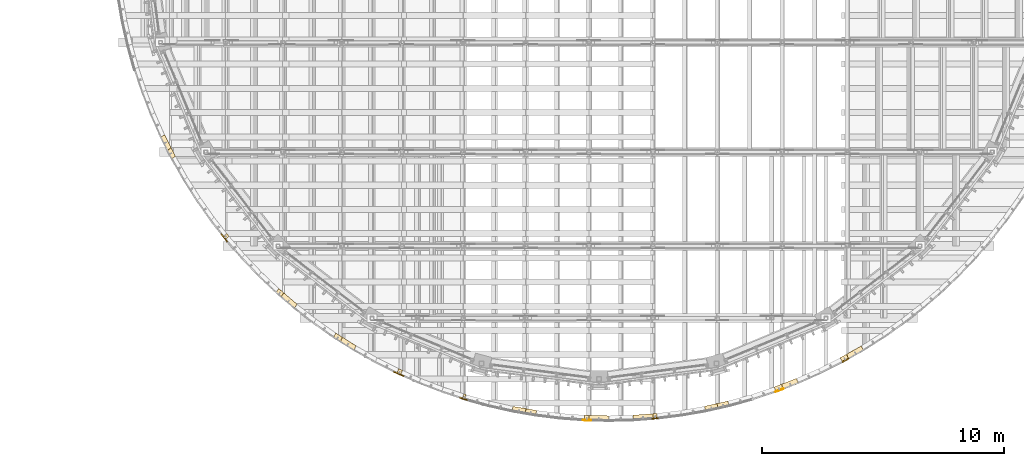
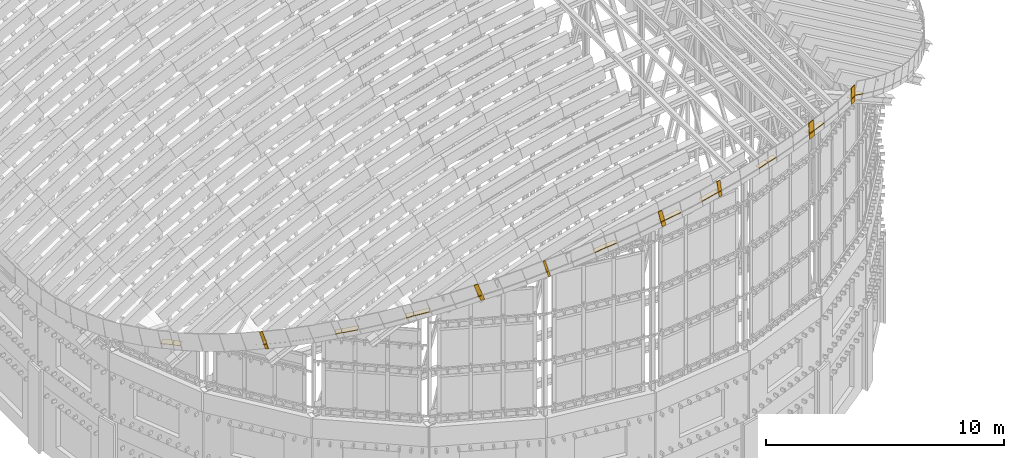
# One storey, part 101 of 105: 28 coverings.
"""IFC4 building model written with IfcOpenShell, lengths in metres."""

import ifcopenshell
import ifcopenshell.guid

model = None  # the IFC model being written
_history = None  # IfcOwnerHistory: only IFC2X3 demands one
_inside = {}  # id of a spatial element -> (the spatial element, [elements in it])
_under = {}  # id of a project, library or spatial element -> (it, [spatial elements below it])
_declared = {}  # id of a project -> (the project, [libraries it declares])
_typed = {}  # id of a type object -> (the type object, [elements of that type])
_made_of = {}  # id of a material, layer set ... -> (it, [elements and type objects made of it])


def new_model(schema):
    """Start an empty IFC model of exactly this schema.

    Asked for "IFC4X3", IfcOpenShell would pick the latest addendum, in which some entities
    have other attributes; the version numbers below select the first issue.
    IFC2X3 requires an IfcOwnerHistory on every rooted entity: one is made here for all.
    """
    global model, _history
    if schema == "IFC4X3":
        model = ifcopenshell.file(schema_version=(4, 3, 0, 0))
    else:
        model = ifcopenshell.file(schema=schema)
    _inside.clear()
    _under.clear()
    _declared.clear()
    _typed.clear()
    _made_of.clear()
    _history = None
    if model.schema == "IFC2X3":
        org = make("IfcOrganization", Name="unknown")
        user = make(
            "IfcPersonAndOrganization",
            ThePerson=make("IfcPerson", FamilyName="unknown"),
            TheOrganization=org,
        )
        app = make(
            "IfcApplication",
            ApplicationDeveloper=org,
            Version="unknown",
            ApplicationFullName="unknown",
            ApplicationIdentifier="unknown",
        )
        _history = make(
            "IfcOwnerHistory",
            OwningUser=user,
            OwningApplication=app,
            ChangeAction="ADDED",
            CreationDate=0,
        )
    return model


def make(cls, **values):
    """One entity of the class cls with the attributes given. An attribute that is None is left unset."""
    return model.create_entity(
        cls, **{name: value for name, value in values.items() if value is not None}
    )


def rooted(cls, **values):
    """An entity with a GlobalId (a new one), such as an element, a storey or a relation."""
    return make(cls, GlobalId=ifcopenshell.guid.new(), OwnerHistory=_history, **values)


def si_unit(unit_type, name, prefix=None):
    """IfcSIUnit, for example si_unit("LENGTHUNIT", "METRE", prefix="MILLI")."""
    return make("IfcSIUnit", UnitType=unit_type, Prefix=prefix, Name=name)


def assignment(units):
    """IfcUnitAssignment: the units of a project."""
    return None if units is None else make("IfcUnitAssignment", Units=units)


def point(xyz):
    """IfcCartesianPoint."""
    return None if xyz is None else make("IfcCartesianPoint", Coordinates=xyz)


def direction(xyz):
    """IfcDirection."""
    return None if xyz is None else make("IfcDirection", DirectionRatios=xyz)


def frame(location, z_axis=None, x_axis=None):
    """IfcAxis2Placement3D, a coordinate frame: its origin and axes. An axis left out is left unset."""
    return make(
        "IfcAxis2Placement3D",
        Location=point(location),
        Axis=direction(z_axis),
        RefDirection=direction(x_axis),
    )


def frame_2d(location, x_axis=None):
    """IfcAxis2Placement2D, a coordinate frame in the plane: its origin and x axis."""
    return make(
        "IfcAxis2Placement2D", Location=point(location), RefDirection=direction(x_axis)
    )


def origin():
    """The frame at (0, 0, 0) with its axes left unset."""
    return frame((0.0, 0.0, 0.0))


def origin_2d():
    """The frame at (0, 0) in the plane with its x axis left unset."""
    return frame_2d((0.0, 0.0))


def place(relative_to, where):
    """IfcLocalPlacement: puts the frame where relative to a parent placement (None: the world)."""
    return make(
        "IfcLocalPlacement", PlacementRelTo=relative_to, RelativePlacement=where
    )


def context(
    kind, dimensions, precision=None, world=None, true_north=None, identifier=None
):
    """IfcGeometricRepresentationContext, for example the 3D "Model" context."""
    return make(
        "IfcGeometricRepresentationContext",
        ContextIdentifier=identifier,
        ContextType=kind,
        CoordinateSpaceDimension=dimensions,
        Precision=precision,
        WorldCoordinateSystem=world,
        TrueNorth=true_north,
    )


def subcontext(parent, identifier, kind, view, scale=None):
    """IfcGeometricRepresentationSubContext, for example "Body" below "Model"."""
    return make(
        "IfcGeometricRepresentationSubContext",
        ContextIdentifier=identifier,
        ContextType=kind,
        ParentContext=parent,
        TargetScale=scale,
        TargetView=view,
    )


def project(units=None, contexts=None):
    """IfcProject with its units and contexts."""
    return rooted(
        "IfcProject",
        Name="project",
        RepresentationContexts=contexts,
        UnitsInContext=assignment(units),
    )


def spatial(cls, under=None, at=None, **own):
    """A site, building, storey or space (cls), placed at a placement, below another one or the project."""
    s = rooted(cls, ObjectPlacement=at, **own)
    if under is not None:
        _under.setdefault(under.id(), (under, []))[1].append(s)
    return s


def polyline(points):
    """IfcPolyline through the points."""
    return make("IfcPolyline", Points=[point(p) for p in points])


def profile(cls, at=None, kind="AREA", **sizes):
    """A parametric profile (cls). Its sizes go by their IFC names, for example OverallWidth=200.0."""
    return make(cls, ProfileType=kind, Position=at, **sizes)


def rectangle(**sizes):
    """IfcRectangleProfileDef."""
    return profile("IfcRectangleProfileDef", **sizes)


def outline(outer, holes=None, kind="AREA"):
    """IfcArbitraryClosedProfileDef: a profile drawn as a closed curve; with holes, ...WithVoids."""
    if holes is None:
        return make("IfcArbitraryClosedProfileDef", ProfileType=kind, OuterCurve=outer)
    return make(
        "IfcArbitraryProfileDefWithVoids",
        ProfileType=kind,
        OuterCurve=outer,
        InnerCurves=holes,
    )


def extrude(swept, where, along, depth):
    """IfcExtrudedAreaSolid: the profile swept, set in the frame where, extruded along a direction by depth."""
    return make(
        "IfcExtrudedAreaSolid",
        SweptArea=swept,
        Position=where,
        ExtrudedDirection=direction(along),
        Depth=depth,
    )


def shape(context_of_items, identifier, shape_type, items):
    """IfcShapeRepresentation: the items that make up one representation, for example the "Body"."""
    return make(
        "IfcShapeRepresentation",
        ContextOfItems=context_of_items,
        RepresentationIdentifier=identifier,
        RepresentationType=shape_type,
        Items=items,
    )


def material(Name=None, Category=None):
    """IfcMaterial."""
    return make("IfcMaterial", Name=Name, Category=Category)


def material_profile(
    of_material, cross_section, Name=None, Category=None, Priority=None
):
    """IfcMaterialProfile: a cross section and its material."""
    return make(
        "IfcMaterialProfile",
        Name=Name,
        Material=of_material,
        Profile=cross_section,
        Priority=Priority,
        Category=Category,
    )


def profile_set(profiles, Name=None, composite=None):
    """IfcMaterialProfileSet."""
    return make(
        "IfcMaterialProfileSet",
        Name=Name,
        MaterialProfiles=profiles,
        CompositeProfile=composite,
    )


def made_of(thing, what):
    """Note that an element or type object is made of a material, layer set ...; save() writes the relation."""
    if what is not None:
        _made_of.setdefault(what.id(), (what, []))[1].append(thing)
    return thing


def type_object(cls, material=None, **own):
    """A type object (cls), such as IfcWallType, which elements share."""
    return made_of(rooted(cls, **own), material)


def element(
    cls,
    number,
    at=None,
    inside=None,
    cuts=None,
    type_object=None,
    material=None,
    context=None,
    identifier="Body",
    shape_type=None,
    held_by="IfcProductDefinitionShape",
    body=None,
    shapes=None,
    **own,
):
    """One element of the class cls, such as IfcWall. Its Tag is "e" and its number.

    at: its placement. inside: the storey or other place that contains it. cuts: it is an
    opening in that element (IfcRelVoidsElement). A single representation is given by context,
    identifier, shape_type and body (its items); several are given by shapes. held_by: the class
    of the entity that holds the representations. save() writes the other relations.
    """
    e = rooted(cls, Tag="e%d" % number, ObjectPlacement=at, **own)
    if body is not None:
        shapes = [shape(context, identifier, shape_type, body)]
    if shapes is not None:
        e.Representation = make(held_by, Representations=shapes)
    if inside is not None:
        _inside.setdefault(inside.id(), (inside, []))[1].append(e)
    if cuts is not None:
        rooted(
            "IfcRelVoidsElement", RelatingBuildingElement=cuts, RelatedOpeningElement=e
        )
    if type_object is not None:
        _typed.setdefault(type_object.id(), (type_object, []))[1].append(e)
    return made_of(e, material)


def aggregate(whole, parts):
    """IfcRelAggregates: a whole, such as a stair, and the parts it consists of."""
    return rooted("IfcRelAggregates", RelatingObject=whole, RelatedObjects=parts)


def save(model, path):
    """Write the relations noted so far, then the file.

    IfcRelAggregates (storeys below a building ...), IfcRelContainedInSpatialStructure (elements
    in a storey), IfcRelDefinesByType, IfcRelAssociatesMaterial and IfcRelDeclares: one each for
    every whole, place, type object, material and project.
    """
    for whole, parts in _under.values():
        aggregate(whole, parts)
    for where, things in _inside.values():
        rooted(
            "IfcRelContainedInSpatialStructure",
            RelatedElements=things,
            RelatingStructure=where,
        )
    for kind, things in _typed.values():
        rooted("IfcRelDefinesByType", RelatedObjects=things, RelatingType=kind)
    for what, things in _made_of.values():
        rooted("IfcRelAssociatesMaterial", RelatedObjects=things, RelatingMaterial=what)
    for by, libraries in _declared.values():
        rooted("IfcRelDeclares", RelatingContext=by, RelatedDefinitions=libraries)
    model.write(path)


model = new_model("IFC4")

# Units and contexts
model_context = context("Model", 3, precision=1e-05, world=origin(), true_north=direction((0.0, 1.0)))
body_context = subcontext(model_context, "Body", "Model", "MODEL_VIEW")
ifc_project = project(units=[si_unit("LENGTHUNIT", "METRE"), si_unit("AREAUNIT", "SQUARE_METRE"), si_unit("VOLUMEUNIT", "CUBIC_METRE"), si_unit("PLANEANGLEUNIT", "RADIAN"), si_unit("MASSUNIT", "GRAM", prefix="KILO")], contexts=[model_context])

# Site, building, storey
site_placement = place(None, origin())
site = spatial("IfcSite", under=ifc_project, at=site_placement, CompositionType="ELEMENT")
building_placement = place(site_placement, origin())
building = spatial("IfcBuilding", under=site, at=building_placement, Name="Wasatch Bagh Community Centre", CompositionType="ELEMENT")
storey_placement = place(building_placement, frame((0.0, 0.0, 16.800048828125)))
storey = spatial("IfcBuildingStorey", under=building, at=storey_placement, Name="L04", CompositionType="ELEMENT", Elevation=16.800048828125)

# Coverings
ifc_material = material(Name="ASTM A653 Grade 50 steel, zinc-aluminium coated", Category="steel")
ifc_material_profile_1 = material_profile(ifc_material, outline(polyline([(-0.080078125, 0.0029296875), (0.152099609375, 0.0029296875), (0.152099609375, -0.031982421875), (0.14892578125, -0.031982421875), (0.14892578125, 0.0), (-0.080078125, 0.0), (-0.080078125, 0.0029296875)])), Name="DRIP EDGE")
ifc_profile_set_1 = profile_set([ifc_material_profile_1], Name="ASTM A653 Grade 50 steel, zinc-aluminium coated")
covering_type_1 = type_object("IfcCoveringType", Name="MH drip edge", PredefinedType="CLADDING", material=ifc_profile_set_1)
covering_1_placement = place(storey_placement, frame((46.85888671875, 17.54345703125, 18.367919921875), z_axis=(-0.777376884038, -0.440544900829, 0.449004866919), x_axis=(0.381559442656, -0.897730567476, -0.220209491028)))
element("IfcCovering", 1, at=covering_1_placement, inside=storey, type_object=covering_type_1, Name="Drip edge 23", PredefinedType="CLADDING", context=body_context, shape_type="SweptSolid", body=[
    extrude(outline(polyline([(-0.080078125, 0.0029296875), (0.152099609375, 0.0029296875), (0.152099609375, -0.031982421875), (0.14892578125, -0.031982421875), (0.14892578125, 0.0), (-0.080078125, 0.0), (-0.080078125, 0.0029296875)])), origin(), (0.0, 0.0, 1.0), 0.779296875),
])
covering_2_placement = place(storey_placement, frame((46.24658203125, 17.196533203125, 18.64990234375), z_axis=(-0.870113515799, -0.492356916257, -0.022071172108), x_axis=(0.492192570825, -0.870393373398, 0.01272197981)))
element("IfcCovering", 2, at=covering_2_placement, inside=storey, type_object=covering_type_1, Name="Drip edge 24", PredefinedType="CLADDING", context=body_context, shape_type="SweptSolid", body=[
    extrude(outline(polyline([(-0.080078125, 0.0029296875), (0.152099609375, 0.0029296875), (0.152099609375, -0.031982421875), (0.14892578125, -0.031982421875), (0.14892578125, 0.0), (-0.080078125, 0.0), (-0.080078125, 0.0029296875)])), origin(), (0.0, 0.0, 1.0), 0.28759765625),
])
covering_3_placement = place(storey_placement, frame((44.183837890625, 16.197509765625, 18.5966796875), z_axis=(-0.93278760393, -0.359620022183, -0.024098248909), x_axis=(0.359500043362, -0.933098837018, 0.009288658587)))
element("IfcCovering", 3, at=covering_3_placement, inside=storey, type_object=covering_type_1, Name="Drip edge 27", PredefinedType="CLADDING", context=body_context, shape_type="SweptSolid", body=[
    extrude(outline(polyline([(-0.080078125, 0.0029296875), (0.152099609375, 0.0029296875), (0.152099609375, -0.031982421875), (0.14892578125, -0.031982421875), (0.14892578125, 0.0), (-0.080078125, 0.0), (-0.080078125, 0.0029296875)])), origin(), (0.0, 0.0, 1.0), 0.658447265625),
])
covering_4_placement = place(storey_placement, frame((43.562255859375, 15.957763671875, 18.581787109375), z_axis=(-0.930598188838, -0.358730592149, -0.072796793804), x_axis=(0.357653742925, -0.933441121228, 0.027775409486)))
element("IfcCovering", 4, at=covering_4_placement, inside=storey, type_object=covering_type_1, Name="Drip edge 28", PredefinedType="CLADDING", context=body_context, shape_type="SweptSolid", body=[
    extrude(outline(polyline([(-0.080078125, 0.0029296875), (0.152099609375, 0.0029296875), (0.152099609375, -0.031982421875), (0.14892578125, -0.031982421875), (0.14892578125, 0.0), (-0.080078125, 0.0), (-0.080078125, 0.0029296875)])), origin(), (0.0, 0.0, 1.0), 0.3251953125),
])
covering_5_placement = place(storey_placement, frame((41.3408203125, 15.259033203125, 18.4091796875), z_axis=(-0.972939906106, -0.218447542951, -0.075290172571), x_axis=(0.217792351392, -0.975848691323, 0.016906310003)))
element("IfcCovering", 5, at=covering_5_placement, inside=storey, type_object=covering_type_1, Name="Drip edge 31", PredefinedType="CLADDING", context=body_context, shape_type="SweptSolid", body=[
    extrude(outline(polyline([(-0.080078125, 0.0029296875), (0.152099609375, 0.0029296875), (0.152099609375, -0.031982421875), (0.14892578125, -0.031982421875), (0.14892578125, 0.0), (-0.080078125, 0.0), (-0.080078125, 0.0029296875)])), origin(), (0.0, 0.0, 1.0), 0.46044921875),
])
covering_6_placement = place(storey_placement, frame((40.88525390625, 15.15673828125, 18.376220703125), z_axis=(-0.967980799537, -0.217264076305, -0.125735805862), x_axis=(0.215454435456, -0.97611286291, 0.027983300453)))
element("IfcCovering", 6, at=covering_6_placement, inside=storey, type_object=covering_type_1, Name="Drip edge 32", PredefinedType="CLADDING", context=body_context, shape_type="SweptSolid", body=[
    extrude(outline(polyline([(-0.080078125, 0.0029296875), (0.152099609375, 0.0029296875), (0.152099609375, -0.031982421875), (0.14892578125, -0.031982421875), (0.14892578125, 0.0), (-0.080078125, 0.0), (-0.080078125, 0.0029296875)])), origin(), (0.0, 0.0, 1.0), 0.528076171875),
])
covering_7_placement = place(storey_placement, frame((38.390625, 14.747802734375, 18.05224609375), z_axis=(-0.988999917952, -0.073873469481, -0.128147855222), x_axis=(0.073273992334, -0.997267617237, 0.009392638508)))
element("IfcCovering", 7, at=covering_7_placement, inside=storey, type_object=covering_type_1, Name="Drip edge 35", PredefinedType="CLADDING", context=body_context, shape_type="SweptSolid", body=[
    extrude(outline(polyline([(-0.080078125, 0.0029296875), (0.152099609375, 0.0029296875), (0.152099609375, -0.031982421875), (0.14892578125, -0.031982421875), (0.14892578125, 0.0), (-0.080078125, 0.0), (-0.080078125, 0.0029296875)])), origin(), (0.0, 0.0, 1.0), 0.161865234375),
])
covering_8_placement = place(storey_placement, frame((38.222412109375, 14.7353515625, 18.033935546875), z_axis=(-0.981116574311, -0.072437305873, -0.179340749219), x_axis=(0.071259546281, -0.997372967579, 0.013009250818)))
element("IfcCovering", 8, at=covering_8_placement, inside=storey, type_object=covering_type_1, Name="Drip edge 36", PredefinedType="CLADDING", context=body_context, shape_type="SweptSolid", body=[
    extrude(outline(polyline([(-0.080078125, 0.0029296875), (0.152099609375, 0.0029296875), (0.152099609375, -0.031982421875), (0.14892578125, -0.031982421875), (0.14892578125, 0.0), (-0.080078125, 0.0), (-0.080078125, 0.0029296875)])), origin(), (0.0, 0.0, 1.0), 0.8359375),
])
covering_9_placement = place(storey_placement, frame((36.39599609375, 14.650146484375, 17.7001953125), z_axis=(-0.983421826745, 0.024102017539, -0.17972368634), x_axis=(-0.023708125638, -0.999709504159, -0.004339593716)))
element("IfcCovering", 9, at=covering_9_placement, inside=storey, type_object=covering_type_1, Name="Drip edge 38", PredefinedType="CLADDING", context=body_context, shape_type="SweptSolid", body=[
    extrude(outline(polyline([(-0.080078125, 0.0029296875), (0.152099609375, 0.0029296875), (0.152099609375, -0.031982421875), (0.14892578125, -0.031982421875), (0.14892578125, 0.0), (-0.080078125, 0.0), (-0.080078125, 0.0029296875)])), origin(), (0.0, 0.0, 1.0), 0.820556640625),
])
covering_10_placement = place(storey_placement, frame((35.581298828125, 14.670166015625, 17.55615234375), z_axis=(-0.972752598419, 0.022935914248, -0.230708313911), x_axis=(-0.022267916948, -0.999736914851, -0.005499177972)))
element("IfcCovering", 10, at=covering_10_placement, inside=storey, type_object=covering_type_1, Name="Drip edge 39", PredefinedType="CLADDING", context=body_context, shape_type="SweptSolid", body=[
    extrude(outline(polyline([(-0.080078125, 0.0029296875), (0.152099609375, 0.0029296875), (0.152099609375, -0.031982421875), (0.14892578125, -0.031982421875), (0.14892578125, 0.0), (-0.080078125, 0.0), (-0.080078125, 0.0029296875)])), origin(), (0.0, 0.0, 1.0), 0.180908203125),
])
covering_11_placement = place(storey_placement, frame((33.41015625, 14.870849609375, 17.042236328125), z_axis=(-0.959544365103, 0.166853803499, -0.226791577571), x_axis=(-0.162387918423, -0.985981646424, -0.038345232636)))
element("IfcCovering", 11, at=covering_11_placement, inside=storey, type_object=covering_type_1, Name="Drip edge 42", PredefinedType="CLADDING", context=body_context, shape_type="SweptSolid", body=[
    extrude(outline(polyline([(-0.080078125, 0.0029296875), (0.152099609375, 0.0029296875), (0.152099609375, -0.031982421875), (0.14892578125, -0.031982421875), (0.14892578125, 0.0), (-0.080078125, 0.0), (-0.080078125, 0.0029296875)])), origin(), (0.0, 0.0, 1.0), 0.4521484375),
])
covering_12_placement = place(storey_placement, frame((32.96875, 14.947509765625, 16.94384765625), z_axis=(-0.947013161457, 0.164171989669, -0.276068161574), x_axis=(-0.157582948766, -0.986431724776, -0.046044181095)))
element("IfcCovering", 12, at=covering_12_placement, inside=storey, type_object=covering_type_1, Name="Drip edge 43", PredefinedType="CLADDING", context=body_context, shape_type="SweptSolid", body=[
    extrude(outline(polyline([(-0.080078125, 0.0029296875), (0.152099609375, 0.0029296875), (0.152099609375, -0.031982421875), (0.14892578125, -0.031982421875), (0.14892578125, 0.0), (-0.080078125, 0.0), (-0.080078125, 0.0029296875)])), origin(), (0.0, 0.0, 1.0), 0.565185546875),
])
covering_13_placement = place(storey_placement, frame((30.489013671875, 15.527587890625, 16.22021484375), z_axis=(-0.915191375228, 0.301765804805, -0.267136941958), x_axis=(-0.289634105959, -0.953382073003, -0.084703645385)))
element("IfcCovering", 13, at=covering_13_placement, inside=storey, type_object=covering_type_1, Name="Drip edge 46", PredefinedType="CLADDING", context=body_context, shape_type="SweptSolid", body=[
    extrude(outline(polyline([(-0.080078125, 0.0029296875), (0.152099609375, 0.0029296875), (0.152099609375, -0.031982421875), (0.14892578125, -0.031982421875), (0.14892578125, 0.0), (-0.080078125, 0.0), (-0.080078125, 0.0029296875)])), origin(), (0.0, 0.0, 1.0), 0.0986328125),
])
covering_14_placement = place(storey_placement, frame((27.8564453125, 16.5341796875, 15.323974609375), z_axis=(-0.856694982485, 0.379393492244, -0.349477159522), x_axis=(-0.351247752952, -0.925235412268, -0.143403095964)))
element("IfcCovering", 14, at=covering_14_placement, inside=storey, type_object=covering_type_1, Name="Drip edge 50", PredefinedType="CLADDING", context=body_context, shape_type="SweptSolid", body=[
    extrude(outline(polyline([(-0.080078125, 0.0029296875), (0.152099609375, 0.0029296875), (0.152099609375, -0.031982421875), (0.14892578125, -0.031982421875), (0.14892578125, 0.0), (-0.080078125, 0.0), (-0.080078125, 0.0029296875)])), origin(), (0.0, 0.0, 1.0), 0.179443359375),
])
covering_15_placement = place(storey_placement, frame((25.934814453125, 17.54736328125, 14.540283203125), z_axis=(-0.798894158727, 0.505558404166, -0.325850921634), x_axis=(-0.468076679858, -0.86279238033, -0.1910327988)))
element("IfcCovering", 15, at=covering_15_placement, inside=storey, type_object=covering_type_1, Name="Drip edge 53", PredefinedType="CLADDING", context=body_context, shape_type="SweptSolid", body=[
    extrude(outline(polyline([(-0.080078125, 0.0029296875), (0.152099609375, 0.0029296875), (0.152099609375, -0.031982421875), (0.14892578125, -0.031982421875), (0.14892578125, 0.0), (-0.080078125, 0.0), (-0.080078125, 0.0029296875)])), origin(), (0.0, 0.0, 1.0), 0.6982421875),
])
covering_16_placement = place(storey_placement, frame((25.37060546875, 17.904541015625, 14.321044921875), z_axis=(-0.78535948337, 0.497160601526, -0.368838471654), x_axis=(-0.450008908102, -0.867658536631, -0.211330656648)))
element("IfcCovering", 16, at=covering_16_placement, inside=storey, type_object=covering_type_1, Name="Drip edge 54", PredefinedType="CLADDING", context=body_context, shape_type="SweptSolid", body=[
    extrude(outline(polyline([(-0.080078125, 0.0029296875), (0.152099609375, 0.0029296875), (0.152099609375, -0.031982421875), (0.14892578125, -0.031982421875), (0.14892578125, 0.0), (-0.080078125, 0.0), (-0.080078125, 0.0029296875)])), origin(), (0.0, 0.0, 1.0), 0.34814453125),
])
covering_17_placement = place(storey_placement, frame((23.4873046875, 19.271728515625, 13.436767578125), z_axis=(-0.71357096409, 0.61535835396, -0.334888900114), x_axis=(-0.557005563375, -0.788247477428, -0.261554423969)))
element("IfcCovering", 17, at=covering_17_placement, inside=storey, type_object=covering_type_1, Name="Drip edge 57", PredefinedType="CLADDING", context=body_context, shape_type="SweptSolid", body=[
    extrude(outline(polyline([(-0.080078125, 0.0029296875), (0.152099609375, 0.0029296875), (0.152099609375, -0.031982421875), (0.14892578125, -0.031982421875), (0.14892578125, 0.0), (-0.080078125, 0.0), (-0.080078125, 0.0029296875)])), origin(), (0.0, 0.0, 1.0), 0.75830078125),
])
covering_18_placement = place(storey_placement, frame((22.940673828125, 19.7431640625, 13.193115234375), z_axis=(-0.701915068317, 0.605359765857, -0.375306262605), x_axis=(-0.533948239954, -0.795951958722, -0.285236316862)))
element("IfcCovering", 18, at=covering_18_placement, inside=storey, type_object=covering_type_1, Name="Drip edge 58", PredefinedType="CLADDING", context=body_context, shape_type="SweptSolid", body=[
    extrude(outline(polyline([(-0.080078125, 0.0029296875), (0.152099609375, 0.0029296875), (0.152099609375, -0.031982421875), (0.14892578125, -0.031982421875), (0.14892578125, 0.0), (-0.080078125, 0.0), (-0.080078125, 0.0029296875)])), origin(), (0.0, 0.0, 1.0), 0.290771484375),
])
covering_19_placement = place(storey_placement, frame((20.6669921875, 22.093017578125, 11.978515625), z_axis=(-0.584966230965, 0.74913931486, -0.310813119995), x_axis=(-0.660747929586, -0.662411501347, -0.35302007936)))
element("IfcCovering", 19, at=covering_19_placement, inside=storey, type_object=covering_type_1, Name="Drip edge 62", PredefinedType="CLADDING", context=body_context, shape_type="SweptSolid", body=[
    extrude(outline(polyline([(-0.080078125, 0.0029296875), (0.152099609375, 0.0029296875), (0.152099609375, -0.031982421875), (0.14892578125, -0.031982421875), (0.14892578125, 0.0), (-0.080078125, 0.0), (-0.080078125, 0.0029296875)])), origin(), (0.0, 0.0, 1.0), 0.153076171875),
])
covering_20_placement = place(storey_placement, frame((18.451171875, 25.41064453125, 10.665283203125), z_axis=(-0.433824960288, 0.862173869184, -0.261633566513), x_axis=(-0.738530350896, -0.506612444254, -0.444878356556)))
element("IfcCovering", 20, at=covering_20_placement, inside=storey, type_object=covering_type_1, Name="Drip edge 67", PredefinedType="CLADDING", context=body_context, shape_type="SweptSolid", body=[
    extrude(outline(polyline([(-0.080078125, 0.0029296875), (0.152099609375, 0.0029296875), (0.152099609375, -0.031982421875), (0.14892578125, -0.031982421875), (0.14892578125, 0.0), (-0.080078125, 0.0), (-0.080078125, 0.0029296875)])), origin(), (0.0, 0.0, 1.0), 0.4013671875),
])
covering_21_placement = place(storey_placement, frame((18.2734375, 25.763427734375, 10.57568359375), z_axis=(-0.429972933929, 0.854850473017, -0.290437505963), x_axis=(-0.708540927179, -0.518874404582, -0.478266773654)))
element("IfcCovering", 21, at=covering_21_placement, inside=storey, type_object=covering_type_1, Name="Drip edge 68", PredefinedType="CLADDING", context=body_context, shape_type="SweptSolid", body=[
    extrude(outline(polyline([(-0.080078125, 0.0029296875), (0.152099609375, 0.0029296875), (0.152099609375, -0.031982421875), (0.14892578125, -0.031982421875), (0.14892578125, 0.0), (-0.080078125, 0.0), (-0.080078125, 0.0029296875)])), origin(), (0.0, 0.0, 1.0), 0.622802734375),
])
ifc_material_profile_2 = material_profile(ifc_material, rectangle(XDim=0.0400390625, YDim=0.85009765625, at=origin_2d()), Name="FASCIA 40x850")
ifc_profile_set_2 = profile_set([ifc_material_profile_2], Name="ASTM A653 Grade 50 steel, zinc-aluminium coated")
covering_type_2 = type_object("IfcCoveringType", Name="MH eave fascia 40x850", PredefinedType="CLADDING", material=ifc_profile_set_2)
covering_22_placement = place(storey_placement, frame((46.3056640625, 17.092041015625, 18.775146484375), z_axis=(-0.869890453235, -0.492711389528, -0.022936564685), x_axis=(0.492841044969, -0.870119362153, 0.0)))
element("IfcCovering", 22, at=covering_22_placement, inside=storey, type_object=covering_type_2, Name="Eave fascia 24", PredefinedType="CLADDING", context=body_context, shape_type="SweptSolid", body=[
    extrude(rectangle(XDim=0.0400390625, YDim=0.85009765625, at=origin_2d()), origin(), (0.0, 0.0, 1.0), 0.287353515625),
])
covering_23_placement = place(storey_placement, frame((43.60546875, 15.845947265625, 18.707763671875), z_axis=(-0.930398033826, -0.359403756615, -0.072030815522), x_axis=(0.360339772663, -0.932821123387, 0.0)))
element("IfcCovering", 23, at=covering_23_placement, inside=storey, type_object=covering_type_2, Name="Eave fascia 28", PredefinedType="CLADDING", context=body_context, shape_type="SweptSolid", body=[
    extrude(rectangle(XDim=0.0400390625, YDim=0.85009765625, at=origin_2d()), origin(), (0.0, 0.0, 1.0), 0.325439453125),
])
covering_24_placement = place(storey_placement, frame((38.3994140625, 14.6279296875, 18.180908203125), z_axis=(-0.988916755357, -0.072359762587, -0.129644574635), x_axis=(0.072975638312, -0.997333723592, 0.0)))
element("IfcCovering", 24, at=covering_24_placement, inside=storey, type_object=covering_type_2, Name="Eave fascia 35", PredefinedType="CLADDING", context=body_context, shape_type="SweptSolid", body=[
    extrude(rectangle(XDim=0.0400390625, YDim=0.85009765625, at=origin_2d()), origin(), (0.0, 0.0, 1.0), 0.161865234375),
])
covering_25_placement = place(storey_placement, frame((35.578369140625, 14.550048828125, 17.6923828125), z_axis=(-0.973023623556, 0.024291851906, -0.229423045776), x_axis=(-0.024957549533, -0.999688511848, 0.0)))
element("IfcCovering", 25, at=covering_25_placement, inside=storey, type_object=covering_type_2, Name="Eave fascia 39", PredefinedType="CLADDING", context=body_context, shape_type="SweptSolid", body=[
    extrude(rectangle(XDim=0.0400390625, YDim=0.85009765625, at=origin_2d()), origin(), (0.0, 0.0, 1.0), 0.180908203125),
])
covering_26_placement = place(storey_placement, frame((30.451416015625, 15.41357421875, 16.360595703125), z_axis=(-0.915191375228, 0.301765804805, -0.267136941958), x_axis=(-0.313145974944, -0.949705005976, 0.0)))
element("IfcCovering", 26, at=covering_26_placement, inside=storey, type_object=covering_type_2, Name="Eave fascia 46", PredefinedType="CLADDING", context=body_context, shape_type="SweptSolid", body=[
    extrude(rectangle(XDim=0.0400390625, YDim=0.85009765625, at=origin_2d()), origin(), (0.0, 0.0, 1.0), 0.0986328125),
])
covering_27_placement = place(storey_placement, frame((27.807861328125, 16.42431640625, 15.475830078125), z_axis=(-0.856252554231, 0.38055669077, -0.349296676885), x_axis=(-0.406138466053, -0.91381154862, 0.0)))
element("IfcCovering", 27, at=covering_27_placement, inside=storey, type_object=covering_type_2, Name="Eave fascia 50", PredefinedType="CLADDING", context=body_context, shape_type="SweptSolid", body=[
    extrude(rectangle(XDim=0.0400390625, YDim=0.85009765625, at=origin_2d()), origin(), (0.0, 0.0, 1.0), 0.1796875),
])
covering_28_placement = place(storey_placement, frame((20.572265625, 22.019287109375, 12.124755859375), z_axis=(-0.584615308177, 0.749138195451, -0.311475369111), x_axis=(-0.788355552424, -0.615219898054, 0.0)))
element("IfcCovering", 28, at=covering_28_placement, inside=storey, type_object=covering_type_2, Name="Eave fascia 62", PredefinedType="CLADDING", context=body_context, shape_type="SweptSolid", body=[
    extrude(rectangle(XDim=0.0400390625, YDim=0.85009765625, at=origin_2d()), origin(), (0.0, 0.0, 1.0), 0.15283203125),
])

save(model, "model.ifc")
